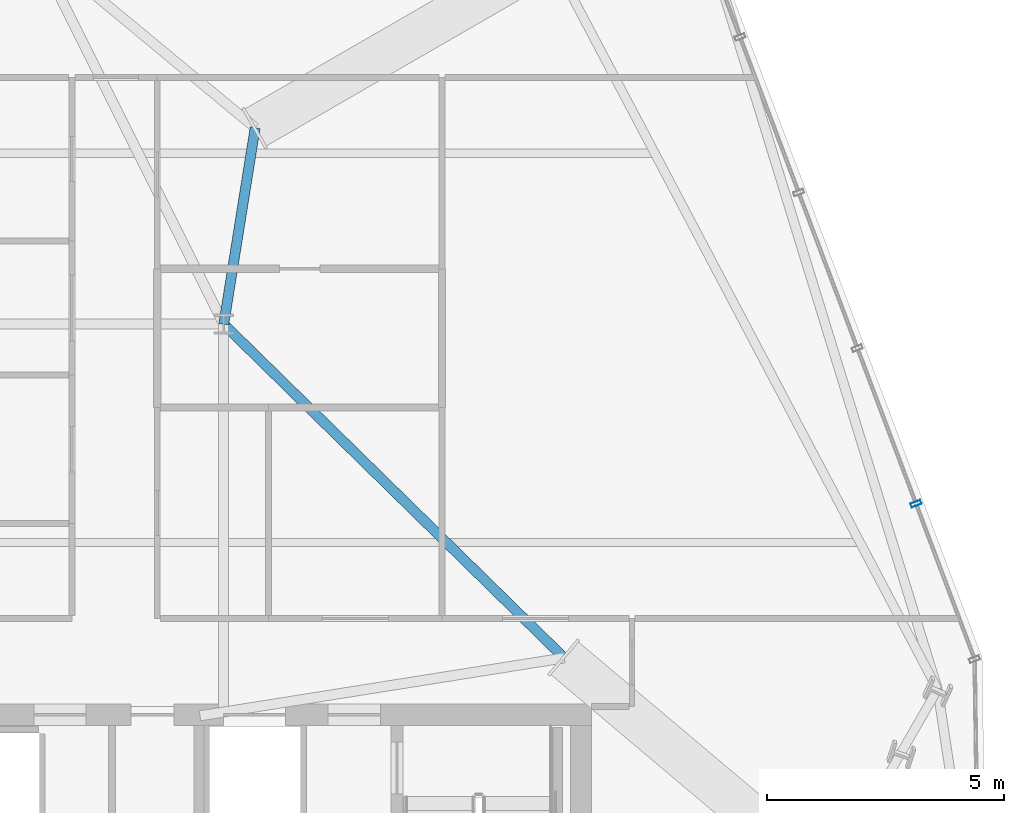
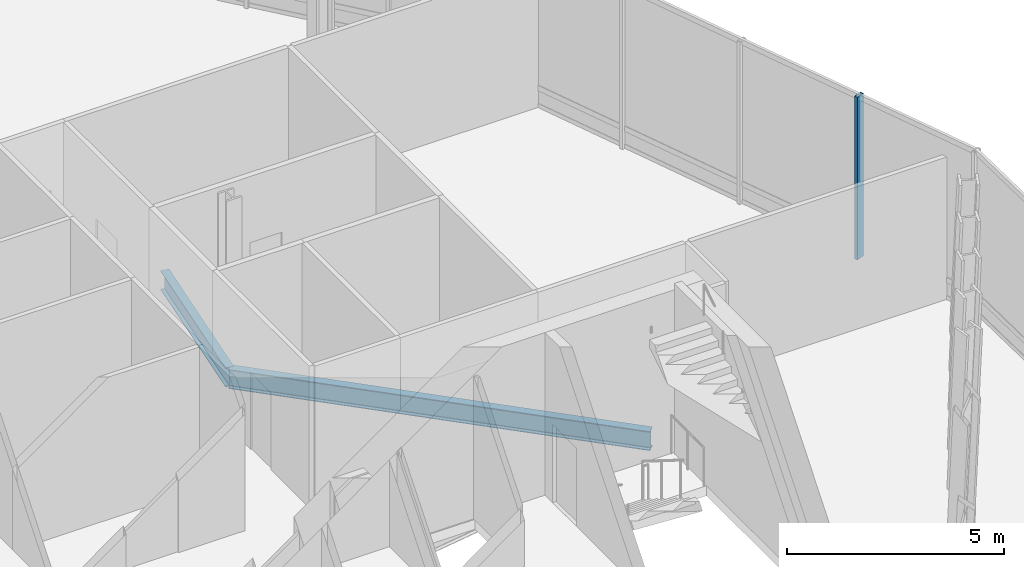
# One storey, part 12 of 26: 2 beams, 1 member, 1 element without a shape of its own.
"""IFC4 building model written with IfcOpenShell, lengths in metres."""

from ifc_helpers import new_model, si_unit, direction, frame, origin, origin_2d, place, context, subcontext, project, spatial, hollow_rectangle, i_section, extrude, material, layer, layer_set, material_profile, profile_set, type_object, element, aggregate, save


model = new_model("IFC4")

# Units and contexts
model_context = context("Model", 3, precision=1e-05, world=origin(), true_north=direction((0.0, 1.0)))
body_context = subcontext(model_context, "Body", "Model", "MODEL_VIEW")
ifc_project = project(units=[si_unit("LENGTHUNIT", "METRE"), si_unit("AREAUNIT", "SQUARE_METRE"), si_unit("VOLUMEUNIT", "CUBIC_METRE"), si_unit("PLANEANGLEUNIT", "RADIAN"), si_unit("MASSUNIT", "GRAM", prefix="KILO")], contexts=[model_context])

# Site, building, storey
site_placement = place(None, origin())
site = spatial("IfcSite", under=ifc_project, at=site_placement, CompositionType="ELEMENT")
building_placement = place(site_placement, origin())
building = spatial("IfcBuilding", under=site, at=building_placement, Name="Ndaravel Arena Tower", CompositionType="ELEMENT")
storey_placement = place(building_placement, frame((0.0, 0.0, 122.199951171875)))
storey = spatial("IfcBuildingStorey", under=building, at=storey_placement, Name="L28", CompositionType="ELEMENT", Elevation=122.199951171875)

# Beams
ifc_material_1 = material(Name="Steel S355", Category="steel")
ifc_material_profile_1 = material_profile(ifc_material_1, i_section(OverallWidth=0.210693359375, OverallDepth=0.53955078125, WebThickness=0.01171875, FlangeThickness=0.018798828125, FilletRadius=0.0126953125, at=origin_2d()), Name="UB 533x210x109")
ifc_profile_set_1 = profile_set([ifc_material_profile_1], Name="Steel S355")
beam_type = type_object("IfcBeamType", Name="BM-GIRD-UB533", PredefinedType="BEAM", material=ifc_profile_set_1)
beam_1_placement = place(storey_placement, frame((56.971923828125, 16.16943359375, -0.5498046875), z_axis=(-0.714109294942, 0.700034224076, 0.0), x_axis=(-0.700034224076, -0.714109294942, 0.0)))
element("IfcBeam", 1, at=beam_1_placement, inside=storey, type_object=beam_type, Name="L28 Star Backspan Anchor Tie SAT2-3", PredefinedType="BEAM", context=body_context, shape_type="SweptSolid", body=[
    extrude(i_section(OverallWidth=0.210693359375, OverallDepth=0.53955078125, WebThickness=0.01171875, FlangeThickness=0.018798828125, FilletRadius=0.0126953125, at=origin_2d()), origin(), (0.0, 0.0, 1.0), 10.043212890625),
])
beam_2_placement = place(storey_placement, frame((49.800048828125, 23.199951171875, -0.5498046875), z_axis=(0.158151802814, 0.987414810131, 0.0), x_axis=(-0.987414810131, 0.158151802814, 0.0)))
element("IfcBeam", 2, at=beam_2_placement, inside=storey, type_object=beam_type, Name="L28 Star Backspan Anchor Tie SAT1-4", PredefinedType="BEAM", context=body_context, shape_type="SweptSolid", body=[
    extrude(i_section(OverallWidth=0.210693359375, OverallDepth=0.53955078125, WebThickness=0.01171875, FlangeThickness=0.018798828125, FilletRadius=0.0126953125, at=origin_2d()), origin(), (0.0, 0.0, 1.0), 4.191162109375),
])

# Curtain wall, member
ifc_material_2 = material(Name="Aluminium", Category="aluminium")
ifc_layer = layer(ifc_material_2, 0.179931640625)
ifc_layer_set = layer_set([ifc_layer], Name="Aluminium")
curtain_wall_type = type_object("IfcCurtainWallType", Name="CW-SYS-04", PredefinedType="NOTDEFINED", material=ifc_layer_set)
curtain_wall_placement = place(storey_placement, origin())
curtain_wall = element("IfcCurtainWall", 3, at=curtain_wall_placement, inside=storey, type_object=curtain_wall_type, Name="L28 Faceted Crystal Curtain Wall CW-L28-E06", PredefinedType="NOTDEFINED")
ifc_material_3 = material(Name="Aluminium", Category="aluminium")
ifc_material_profile_2 = material_profile(ifc_material_3, hollow_rectangle(XDim=0.090087890625, YDim=0.219970703125, WallThickness=0.0048828125, at=origin_2d()), Name="CW MULLION 90x220x5")
ifc_profile_set_2 = profile_set([ifc_material_profile_2], Name="Aluminium")
member_type = type_object("IfcMemberType", Name="MEM-CW-MUL220", PredefinedType="MULLION", material=ifc_profile_set_2)
member_placement = place(storey_placement, frame((64.3828125, 19.418212890625, 0.0), z_axis=(0.0, 0.0, 1.0), x_axis=(-0.352805363625, 0.935696732599, 0.0)))
member = element("IfcMember", 4, at=member_placement, type_object=member_type, Name="CW-L28-E06 Mullion 01", PredefinedType="MULLION", context=body_context, shape_type="SweptSolid", body=[
    extrude(hollow_rectangle(XDim=0.090087890625, YDim=0.219970703125, WallThickness=0.0048828125, at=origin_2d()), origin(), (0.0, 0.0, 1.0), 4.580078125),
])
aggregate(curtain_wall, [member])

save(model, "model.ifc")
